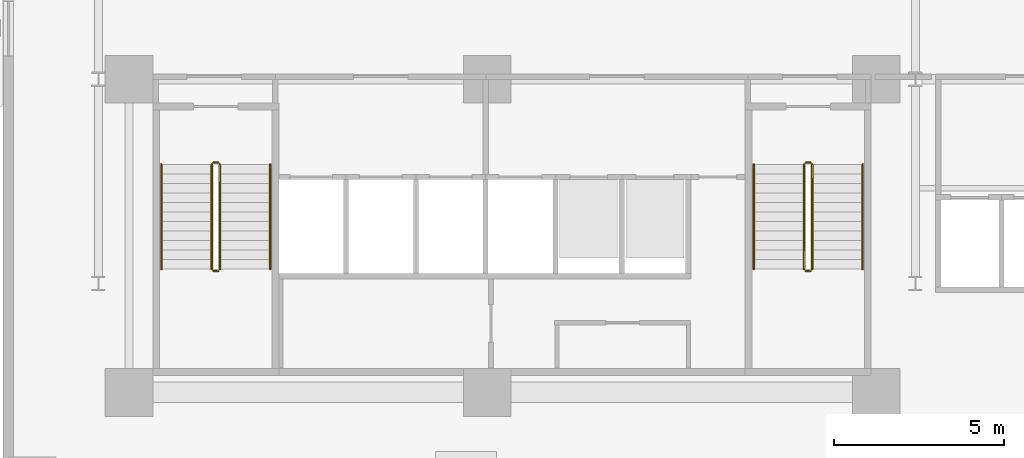
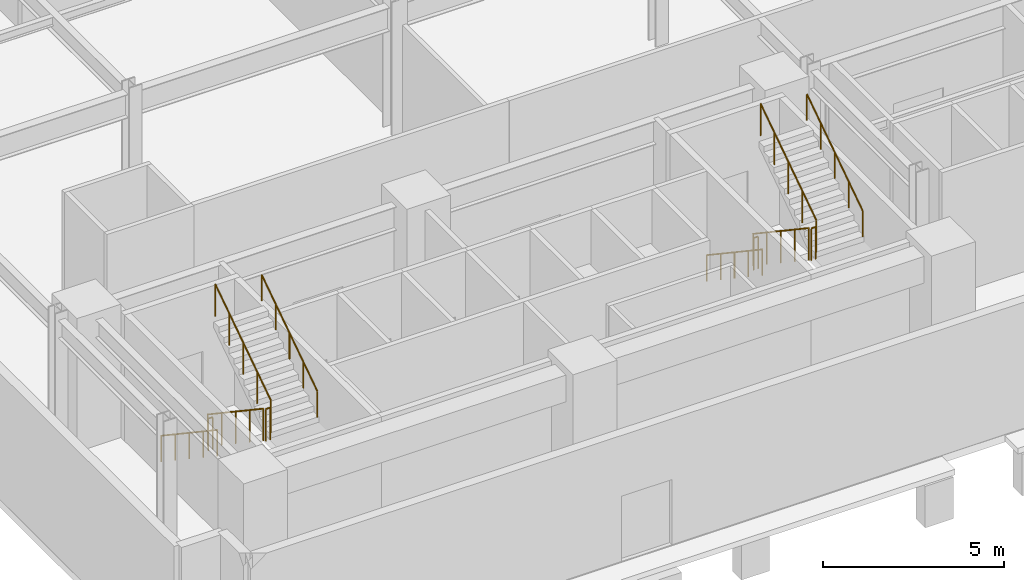
# One storey, part 20 of 26: 12 railings.
"""IFC4 building model written with IfcOpenShell, lengths in metres."""

from ifc_helpers import new_model, si_unit, direction, frame, origin, origin_2d, place, context, subcontext, project, spatial, circle, extrude, material, type_object, element, save


model = new_model("IFC4")

# Units and contexts
model_context = context("Model", 3, precision=1e-05, world=origin(), true_north=direction((0.0, 1.0)))
body_context = subcontext(model_context, "Body", "Model", "MODEL_VIEW")
ifc_project = project(units=[si_unit("LENGTHUNIT", "METRE"), si_unit("AREAUNIT", "SQUARE_METRE"), si_unit("VOLUMEUNIT", "CUBIC_METRE"), si_unit("PLANEANGLEUNIT", "RADIAN"), si_unit("MASSUNIT", "GRAM", prefix="KILO")], contexts=[model_context])

# Site, building, storey
site_placement = place(None, origin())
site = spatial("IfcSite", under=ifc_project, at=site_placement, CompositionType="ELEMENT")
building_placement = place(site_placement, origin())
building = spatial("IfcBuilding", under=site, at=building_placement, Name="Varnakote Quay Hospital", CompositionType="ELEMENT")
storey_placement = place(building_placement, origin())
storey = spatial("IfcBuildingStorey", under=building, at=storey_placement, Name="L00", CompositionType="ELEMENT", Elevation=0.0)

# Railings
ifc_material_1 = material(Name="Brushed stainless steel balustrade", Category="steel")
railing_type_1 = type_object("IfcRailingType", Name="RLG-STAIR-GUARD-1150", PredefinedType="GUARDRAIL", material=ifc_material_1)
railing_1_placement = place(storey_placement, frame((4.530029296875, 9.5, 0.1875)))
element("IfcRailing", 1, at=railing_1_placement, inside=storey, type_object=railing_type_1, Name="L00 ST-01 stair guard 1", PredefinedType="GUARDRAIL", context=body_context, shape_type="SweptSolid", body=[
    extrude(circle(Radius=0.02392578125, at=origin_2d()), frame((0.0, 0.0, 1.076171875), z_axis=(0.0, -0.830913701846, 0.55640131208), x_axis=(1.0, 0.0, 0.0)), (0.0, 0.0, 1.0), 3.706787109375),
    extrude(circle(Radius=0.02099609375, at=origin_2d()), origin(), (0.0, 0.0, 1.0), 1.052001953125),
    extrude(circle(Radius=0.02099609375, at=origin_2d()), frame((0.0, -0.77001953125, 0.515625)), (0.0, 0.0, 1.0), 1.052001953125),
    extrude(circle(Radius=0.02099609375, at=origin_2d()), frame((0.0, -1.5400390625, 1.03125)), (0.0, 0.0, 1.0), 1.052001953125),
    extrude(circle(Radius=0.02099609375, at=origin_2d()), frame((0.0, -2.31005859375, 1.546875)), (0.0, 0.0, 1.0), 1.052001953125),
    extrude(circle(Radius=0.02099609375, at=origin_2d()), frame((0.0, -3.080078125, 2.0625)), (0.0, 0.0, 1.0), 1.052001953125),
])
railing_2_placement = place(storey_placement, frame((4.580078125, 6.3701171875, 2.25)))
element("IfcRailing", 2, at=railing_2_placement, inside=storey, type_object=railing_type_1, Name="L00 ST-01 stair guard 2", PredefinedType="GUARDRAIL", context=body_context, shape_type="SweptSolid", body=[
    extrude(circle(Radius=0.02392578125, at=origin_2d()), frame((0.0, 0.0, 1.076171875), z_axis=(1.0, 0.0, 0.0), x_axis=(0.0, 1.0, 0.0)), (0.0, 0.0, 1.0), 0.139892578125),
    extrude(circle(Radius=0.02099609375, at=origin_2d()), origin(), (0.0, 0.0, 1.0), 1.052001953125),
    extrude(circle(Radius=0.02099609375, at=origin_2d()), frame((0.139892578125, 0.0, 0.0)), (0.0, 0.0, 1.0), 1.052001953125),
])
railing_3_placement = place(storey_placement, frame((4.77001953125, 6.419921875, 2.4375)))
element("IfcRailing", 3, at=railing_3_placement, inside=storey, type_object=railing_type_1, Name="L00 ST-01 stair guard 3", PredefinedType="GUARDRAIL", context=body_context, shape_type="SweptSolid", body=[
    extrude(circle(Radius=0.02392578125, at=origin_2d()), frame((0.0, 0.0, 1.076171875), z_axis=(0.0, 0.830913701846, 0.55640131208), x_axis=(-1.0, 0.0, 0.0)), (0.0, 0.0, 1.0), 3.706787109375),
    extrude(circle(Radius=0.02099609375, at=origin_2d()), origin(), (0.0, 0.0, 1.0), 1.052001953125),
    extrude(circle(Radius=0.02099609375, at=origin_2d()), frame((0.0, 0.77001953125, 0.515625)), (0.0, 0.0, 1.0), 1.052001953125),
    extrude(circle(Radius=0.02099609375, at=origin_2d()), frame((0.0, 1.5400390625, 1.03125)), (0.0, 0.0, 1.0), 1.052001953125),
    extrude(circle(Radius=0.02099609375, at=origin_2d()), frame((0.0, 2.31005859375, 1.546875)), (0.0, 0.0, 1.0), 1.052001953125),
    extrude(circle(Radius=0.02099609375, at=origin_2d()), frame((0.0, 3.080078125, 2.0625)), (0.0, 0.0, 1.0), 1.052001953125),
])
railing_4_placement = place(storey_placement, frame((4.580078125, 9.550048828125, 0.0)))
element("IfcRailing", 4, at=railing_4_placement, inside=storey, type_object=railing_type_1, Name="L00 ST-01 stair guard 4", PredefinedType="GUARDRAIL", context=body_context, shape_type="SweptSolid", body=[
    extrude(circle(Radius=0.02392578125, at=origin_2d()), frame((0.0, 0.0, 1.076171875), z_axis=(1.0, 0.0, 0.0), x_axis=(0.0, 1.0, 0.0)), (0.0, 0.0, 1.0), 0.139892578125),
    extrude(circle(Radius=0.02099609375, at=origin_2d()), origin(), (0.0, 0.0, 1.0), 1.052001953125),
    extrude(circle(Radius=0.02099609375, at=origin_2d()), frame((0.139892578125, 0.0, 0.0)), (0.0, 0.0, 1.0), 1.052001953125),
])
railing_5_placement = place(storey_placement, frame((21.929931640625, 9.5, 0.1875)))
element("IfcRailing", 5, at=railing_5_placement, inside=storey, type_object=railing_type_1, Name="L00 ST-02 stair guard 1", PredefinedType="GUARDRAIL", context=body_context, shape_type="SweptSolid", body=[
    extrude(circle(Radius=0.02392578125, at=origin_2d()), frame((0.0, 0.0, 1.076171875), z_axis=(0.0, -0.830913701846, 0.55640131208), x_axis=(1.0, 0.0, 0.0)), (0.0, 0.0, 1.0), 3.706787109375),
    extrude(circle(Radius=0.02099609375, at=origin_2d()), origin(), (0.0, 0.0, 1.0), 1.052001953125),
    extrude(circle(Radius=0.02099609375, at=origin_2d()), frame((0.0, -0.77001953125, 0.515625)), (0.0, 0.0, 1.0), 1.052001953125),
    extrude(circle(Radius=0.02099609375, at=origin_2d()), frame((0.0, -1.5400390625, 1.03125)), (0.0, 0.0, 1.0), 1.052001953125),
    extrude(circle(Radius=0.02099609375, at=origin_2d()), frame((0.0, -2.31005859375, 1.546875)), (0.0, 0.0, 1.0), 1.052001953125),
    extrude(circle(Radius=0.02099609375, at=origin_2d()), frame((0.0, -3.080078125, 2.0625)), (0.0, 0.0, 1.0), 1.052001953125),
])
railing_6_placement = place(storey_placement, frame((21.97998046875, 6.3701171875, 2.25)))
element("IfcRailing", 6, at=railing_6_placement, inside=storey, type_object=railing_type_1, Name="L00 ST-02 stair guard 2", PredefinedType="GUARDRAIL", context=body_context, shape_type="SweptSolid", body=[
    extrude(circle(Radius=0.02392578125, at=origin_2d()), frame((0.0, 0.0, 1.076171875), z_axis=(1.0, 0.0, 0.0), x_axis=(0.0, 1.0, 0.0)), (0.0, 0.0, 1.0), 0.14013671875),
    extrude(circle(Radius=0.02099609375, at=origin_2d()), origin(), (0.0, 0.0, 1.0), 1.052001953125),
    extrude(circle(Radius=0.02099609375, at=origin_2d()), frame((0.14013671875, 0.0, 0.0)), (0.0, 0.0, 1.0), 1.052001953125),
])
railing_7_placement = place(storey_placement, frame((22.169921875, 6.419921875, 2.4375)))
element("IfcRailing", 7, at=railing_7_placement, inside=storey, type_object=railing_type_1, Name="L00 ST-02 stair guard 3", PredefinedType="GUARDRAIL", context=body_context, shape_type="SweptSolid", body=[
    extrude(circle(Radius=0.02392578125, at=origin_2d()), frame((0.0, 0.0, 1.076171875), z_axis=(0.0, 0.830913701846, 0.55640131208), x_axis=(-1.0, 0.0, 0.0)), (0.0, 0.0, 1.0), 3.706787109375),
    extrude(circle(Radius=0.02099609375, at=origin_2d()), origin(), (0.0, 0.0, 1.0), 1.052001953125),
    extrude(circle(Radius=0.02099609375, at=origin_2d()), frame((0.0, 0.77001953125, 0.515625)), (0.0, 0.0, 1.0), 1.052001953125),
    extrude(circle(Radius=0.02099609375, at=origin_2d()), frame((0.0, 1.5400390625, 1.03125)), (0.0, 0.0, 1.0), 1.052001953125),
    extrude(circle(Radius=0.02099609375, at=origin_2d()), frame((0.0, 2.31005859375, 1.546875)), (0.0, 0.0, 1.0), 1.052001953125),
    extrude(circle(Radius=0.02099609375, at=origin_2d()), frame((0.0, 3.080078125, 2.0625)), (0.0, 0.0, 1.0), 1.052001953125),
])
railing_8_placement = place(storey_placement, frame((21.97998046875, 9.550048828125, 0.0)))
element("IfcRailing", 8, at=railing_8_placement, inside=storey, type_object=railing_type_1, Name="L00 ST-02 stair guard 4", PredefinedType="GUARDRAIL", context=body_context, shape_type="SweptSolid", body=[
    extrude(circle(Radius=0.02392578125, at=origin_2d()), frame((0.0, 0.0, 1.076171875), z_axis=(1.0, 0.0, 0.0), x_axis=(0.0, 1.0, 0.0)), (0.0, 0.0, 1.0), 0.14013671875),
    extrude(circle(Radius=0.02099609375, at=origin_2d()), origin(), (0.0, 0.0, 1.0), 1.052001953125),
    extrude(circle(Radius=0.02099609375, at=origin_2d()), frame((0.14013671875, 0.0, 0.0)), (0.0, 0.0, 1.0), 1.052001953125),
])
ifc_material_2 = material(Name="Brushed stainless steel handrail", Category="steel")
railing_type_2 = type_object("IfcRailingType", Name="RLG-STAIR-HND-920", PredefinedType="HANDRAIL", material=ifc_material_2)
railing_9_placement = place(storey_placement, frame((3.050048828125, 9.5, 0.1875)))
element("IfcRailing", 9, at=railing_9_placement, inside=storey, type_object=railing_type_2, Name="L00 ST-01 stair handrail 1", PredefinedType="HANDRAIL", context=body_context, shape_type="SweptSolid", body=[
    extrude(circle(Radius=0.02392578125, at=origin_2d()), frame((0.0, 0.0, 0.8759765625), z_axis=(0.0, -0.830913701846, 0.55640131208), x_axis=(1.0, 0.0, 0.0)), (0.0, 0.0, 1.0), 3.706787109375),
    extrude(circle(Radius=0.02099609375, at=origin_2d()), origin(), (0.0, 0.0, 1.0), 0.851806640625),
    extrude(circle(Radius=0.02099609375, at=origin_2d()), frame((0.0, -0.77001953125, 0.515625)), (0.0, 0.0, 1.0), 0.851806640625),
    extrude(circle(Radius=0.02099609375, at=origin_2d()), frame((0.0, -1.5400390625, 1.03125)), (0.0, 0.0, 1.0), 0.851806640625),
    extrude(circle(Radius=0.02099609375, at=origin_2d()), frame((0.0, -2.31005859375, 1.546875)), (0.0, 0.0, 1.0), 0.851806640625),
    extrude(circle(Radius=0.02099609375, at=origin_2d()), frame((0.0, -3.080078125, 2.0625)), (0.0, 0.0, 1.0), 0.851806640625),
])
railing_10_placement = place(storey_placement, frame((6.25, 6.419921875, 2.4375)))
element("IfcRailing", 10, at=railing_10_placement, inside=storey, type_object=railing_type_2, Name="L00 ST-01 stair handrail 2", PredefinedType="HANDRAIL", context=body_context, shape_type="SweptSolid", body=[
    extrude(circle(Radius=0.02392578125, at=origin_2d()), frame((0.0, 0.0, 0.8759765625), z_axis=(0.0, 0.830913701846, 0.55640131208), x_axis=(-1.0, 0.0, 0.0)), (0.0, 0.0, 1.0), 3.706787109375),
    extrude(circle(Radius=0.02099609375, at=origin_2d()), origin(), (0.0, 0.0, 1.0), 0.851806640625),
    extrude(circle(Radius=0.02099609375, at=origin_2d()), frame((0.0, 0.77001953125, 0.515625)), (0.0, 0.0, 1.0), 0.851806640625),
    extrude(circle(Radius=0.02099609375, at=origin_2d()), frame((0.0, 1.5400390625, 1.03125)), (0.0, 0.0, 1.0), 0.851806640625),
    extrude(circle(Radius=0.02099609375, at=origin_2d()), frame((0.0, 2.31005859375, 1.546875)), (0.0, 0.0, 1.0), 0.851806640625),
    extrude(circle(Radius=0.02099609375, at=origin_2d()), frame((0.0, 3.080078125, 2.0625)), (0.0, 0.0, 1.0), 0.851806640625),
])
railing_11_placement = place(storey_placement, frame((20.449951171875, 9.5, 0.1875)))
element("IfcRailing", 11, at=railing_11_placement, inside=storey, type_object=railing_type_2, Name="L00 ST-02 stair handrail 1", PredefinedType="HANDRAIL", context=body_context, shape_type="SweptSolid", body=[
    extrude(circle(Radius=0.02392578125, at=origin_2d()), frame((0.0, 0.0, 0.8759765625), z_axis=(0.0, -0.830913701846, 0.55640131208), x_axis=(1.0, 0.0, 0.0)), (0.0, 0.0, 1.0), 3.706787109375),
    extrude(circle(Radius=0.02099609375, at=origin_2d()), origin(), (0.0, 0.0, 1.0), 0.851806640625),
    extrude(circle(Radius=0.02099609375, at=origin_2d()), frame((0.0, -0.77001953125, 0.515625)), (0.0, 0.0, 1.0), 0.851806640625),
    extrude(circle(Radius=0.02099609375, at=origin_2d()), frame((0.0, -1.5400390625, 1.03125)), (0.0, 0.0, 1.0), 0.851806640625),
    extrude(circle(Radius=0.02099609375, at=origin_2d()), frame((0.0, -2.31005859375, 1.546875)), (0.0, 0.0, 1.0), 0.851806640625),
    extrude(circle(Radius=0.02099609375, at=origin_2d()), frame((0.0, -3.080078125, 2.0625)), (0.0, 0.0, 1.0), 0.851806640625),
])
railing_12_placement = place(storey_placement, frame((23.64990234375, 6.419921875, 2.4375)))
element("IfcRailing", 12, at=railing_12_placement, inside=storey, type_object=railing_type_2, Name="L00 ST-02 stair handrail 2", PredefinedType="HANDRAIL", context=body_context, shape_type="SweptSolid", body=[
    extrude(circle(Radius=0.02392578125, at=origin_2d()), frame((0.0, 0.0, 0.8759765625), z_axis=(0.0, 0.830913701846, 0.55640131208), x_axis=(-1.0, 0.0, 0.0)), (0.0, 0.0, 1.0), 3.706787109375),
    extrude(circle(Radius=0.02099609375, at=origin_2d()), origin(), (0.0, 0.0, 1.0), 0.851806640625),
    extrude(circle(Radius=0.02099609375, at=origin_2d()), frame((0.0, 0.77001953125, 0.515625)), (0.0, 0.0, 1.0), 0.851806640625),
    extrude(circle(Radius=0.02099609375, at=origin_2d()), frame((0.0, 1.5400390625, 1.03125)), (0.0, 0.0, 1.0), 0.851806640625),
    extrude(circle(Radius=0.02099609375, at=origin_2d()), frame((0.0, 2.31005859375, 1.546875)), (0.0, 0.0, 1.0), 0.851806640625),
    extrude(circle(Radius=0.02099609375, at=origin_2d()), frame((0.0, 3.080078125, 2.0625)), (0.0, 0.0, 1.0), 0.851806640625),
])

save(model, "model.ifc")
